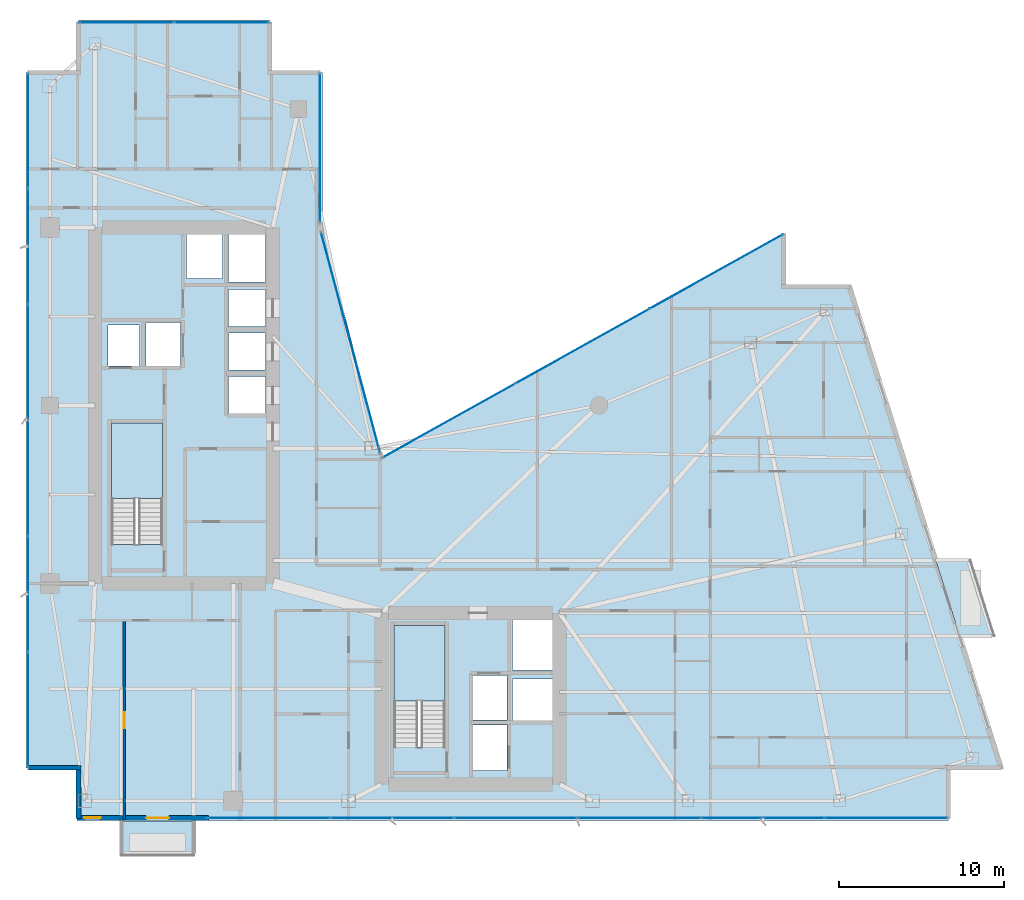
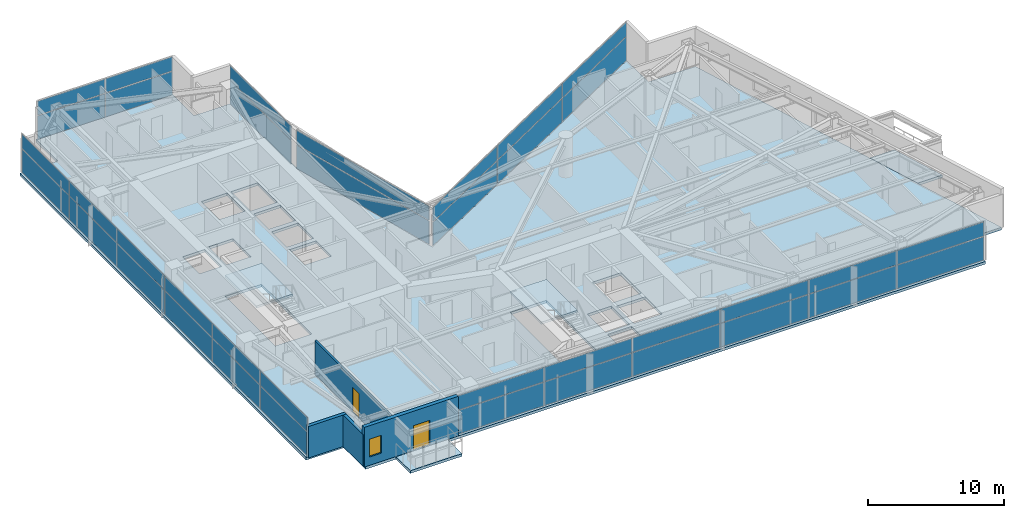
# One storey, part 21 of 28: 38 plates, 5 slabs, 4 walls, 2 doors, 1 window, 3 openings, 8 elements without a shape of their own.
"""IFC4 building model written with IfcOpenShell, lengths in metres."""

from ifc_helpers import new_model, si_unit, direction, frame, frame_2d, origin, origin_2d, place, context, subcontext, project, spatial, polyline, rectangle, outline, extrude, material, layer, layer_set, type_object, element, fill, aggregate, save


model = new_model("IFC4")

# Units and contexts
model_context = context("Model", 3, precision=1e-05, world=origin(), true_north=direction((0.0, 1.0)))
body_context = subcontext(model_context, "Body", "Model", "MODEL_VIEW")
ifc_project = project(units=[si_unit("LENGTHUNIT", "METRE"), si_unit("AREAUNIT", "SQUARE_METRE"), si_unit("VOLUMEUNIT", "CUBIC_METRE"), si_unit("PLANEANGLEUNIT", "RADIAN"), si_unit("MASSUNIT", "GRAM", prefix="KILO")], contexts=[model_context])

# Site, building, storey
site_placement = place(None, origin())
site = spatial("IfcSite", under=ifc_project, at=site_placement, CompositionType="ELEMENT")
building_placement = place(site_placement, origin())
building = spatial("IfcBuilding", under=site, at=building_placement, Name="Calvorn Quay Hotel", CompositionType="ELEMENT")
storey_placement = place(building_placement, frame((0.0, 0.0, 127.800048828125)))
storey = spatial("IfcBuildingStorey", under=building, at=storey_placement, Name="L31", CompositionType="ELEMENT", Elevation=127.800048828125)

# Curtain wall, plates
ifc_material_1 = material(Name="Pale Anodised Aluminium and Low-E Glass", Category="aluminium")
ifc_layer_1 = layer(ifc_material_1, 0.219970703125)
ifc_layer_set_1 = layer_set([ifc_layer_1], Name="CW-SYS-Z2")
curtain_wall_type = type_object("IfcCurtainWallType", Name="CW-SYS-Z2", PredefinedType="NOTDEFINED", material=ifc_layer_set_1)
curtain_wall_1_placement = place(storey_placement, origin())
curtain_wall_1 = element("IfcCurtainWall", 1, at=curtain_wall_1_placement, inside=storey, type_object=curtain_wall_type, Name="Tower West Curtain Wall (L31)", PredefinedType="NOTDEFINED")
ifc_material_2 = material(Name="Low-E Laminated Double Glazing", Category="glass")
ifc_layer_2 = layer(ifc_material_2, 0.028076171875)
ifc_layer_set_2 = layer_set([ifc_layer_2], Name="CW-SYS-Z2-PAN")
plate_type = type_object("IfcPlateType", Name="CW-SYS-Z2-PAN", PredefinedType="CURTAIN_PANEL", material=ifc_layer_set_2)
plate_1_placement = place(storey_placement, frame((0.14990234375, 9.131591796875, 0.06005859375), z_axis=(0.0, 0.0, 1.0), x_axis=(0.0, 1.0, 0.0)))
plate_1 = element("IfcPlate", 2, at=plate_1_placement, type_object=plate_type, Name="CW-L31-W panel 1.1", PredefinedType="CURTAIN_PANEL", context=body_context, shape_type="SweptSolid", body=[
    extrude(rectangle(XDim=6.943359375, YDim=0.028076171875, at=origin_2d()), origin(), (0.0, 0.0, 1.0), 2.110107421875),
])
plate_2_placement = place(storey_placement, frame((0.14990234375, 9.131591796875, 2.22998046875), z_axis=(0.0, 0.0, 1.0), x_axis=(0.0, 1.0, 0.0)))
plate_2 = element("IfcPlate", 3, at=plate_2_placement, type_object=plate_type, Name="CW-L31-W panel 1.2", PredefinedType="CURTAIN_PANEL", context=body_context, shape_type="SweptSolid", body=[
    extrude(rectangle(XDim=6.943359375, YDim=0.028076171875, at=origin_2d()), origin(), (0.0, 0.0, 1.0), 1.27001953125),
])
plate_3_placement = place(storey_placement, frame((0.14990234375, 16.14990234375, 0.06005859375), z_axis=(0.0, 0.0, 1.0), x_axis=(0.0, 1.0, 0.0)))
plate_3 = element("IfcPlate", 4, at=plate_3_placement, type_object=plate_type, Name="CW-L31-W panel 2.1", PredefinedType="CURTAIN_PANEL", context=body_context, shape_type="SweptSolid", body=[
    extrude(rectangle(XDim=6.973388671875, YDim=0.028076171875, at=origin_2d()), origin(), (0.0, 0.0, 1.0), 2.110107421875),
])
plate_4_placement = place(storey_placement, frame((0.14990234375, 16.14990234375, 2.22998046875), z_axis=(0.0, 0.0, 1.0), x_axis=(0.0, 1.0, 0.0)))
plate_4 = element("IfcPlate", 5, at=plate_4_placement, type_object=plate_type, Name="CW-L31-W panel 2.2", PredefinedType="CURTAIN_PANEL", context=body_context, shape_type="SweptSolid", body=[
    extrude(rectangle(XDim=6.973388671875, YDim=0.028076171875, at=origin_2d()), origin(), (0.0, 0.0, 1.0), 1.27001953125),
])
plate_5_placement = place(storey_placement, frame((0.14990234375, 23.183349609375, 0.06005859375), z_axis=(0.0, 0.0, 1.0), x_axis=(0.0, 1.0, 0.0)))
plate_5 = element("IfcPlate", 6, at=plate_5_placement, type_object=plate_type, Name="CW-L31-W panel 3.1", PredefinedType="CURTAIN_PANEL", context=body_context, shape_type="SweptSolid", body=[
    extrude(rectangle(XDim=6.973388671875, YDim=0.028076171875, at=origin_2d()), origin(), (0.0, 0.0, 1.0), 2.110107421875),
])
plate_6_placement = place(storey_placement, frame((0.14990234375, 23.183349609375, 2.22998046875), z_axis=(0.0, 0.0, 1.0), x_axis=(0.0, 1.0, 0.0)))
plate_6 = element("IfcPlate", 7, at=plate_6_placement, type_object=plate_type, Name="CW-L31-W panel 3.2", PredefinedType="CURTAIN_PANEL", context=body_context, shape_type="SweptSolid", body=[
    extrude(rectangle(XDim=6.973388671875, YDim=0.028076171875, at=origin_2d()), origin(), (0.0, 0.0, 1.0), 1.27001953125),
])
plate_7_placement = place(storey_placement, frame((0.14990234375, 30.216552734375, 0.06005859375), z_axis=(0.0, 0.0, 1.0), x_axis=(0.0, 1.0, 0.0)))
plate_7 = element("IfcPlate", 8, at=plate_7_placement, type_object=plate_type, Name="CW-L31-W panel 4.1", PredefinedType="CURTAIN_PANEL", context=body_context, shape_type="SweptSolid", body=[
    extrude(rectangle(XDim=6.973388671875, YDim=0.028076171875, at=origin_2d()), origin(), (0.0, 0.0, 1.0), 2.110107421875),
])
plate_8_placement = place(storey_placement, frame((0.14990234375, 30.216552734375, 2.22998046875), z_axis=(0.0, 0.0, 1.0), x_axis=(0.0, 1.0, 0.0)))
plate_8 = element("IfcPlate", 9, at=plate_8_placement, type_object=plate_type, Name="CW-L31-W panel 4.2", PredefinedType="CURTAIN_PANEL", context=body_context, shape_type="SweptSolid", body=[
    extrude(rectangle(XDim=6.973388671875, YDim=0.028076171875, at=origin_2d()), origin(), (0.0, 0.0, 1.0), 1.27001953125),
])
plate_9_placement = place(storey_placement, frame((0.14990234375, 37.25, 0.06005859375), z_axis=(0.0, 0.0, 1.0), x_axis=(0.0, 1.0, 0.0)))
plate_9 = element("IfcPlate", 10, at=plate_9_placement, type_object=plate_type, Name="CW-L31-W panel 5.1", PredefinedType="CURTAIN_PANEL", context=body_context, shape_type="SweptSolid", body=[
    extrude(rectangle(XDim=6.973388671875, YDim=0.028076171875, at=origin_2d()), origin(), (0.0, 0.0, 1.0), 2.110107421875),
])
plate_10_placement = place(storey_placement, frame((0.14990234375, 37.25, 2.22998046875), z_axis=(0.0, 0.0, 1.0), x_axis=(0.0, 1.0, 0.0)))
plate_10 = element("IfcPlate", 11, at=plate_10_placement, type_object=plate_type, Name="CW-L31-W panel 5.2", PredefinedType="CURTAIN_PANEL", context=body_context, shape_type="SweptSolid", body=[
    extrude(rectangle(XDim=6.973388671875, YDim=0.028076171875, at=origin_2d()), origin(), (0.0, 0.0, 1.0), 1.27001953125),
])
plate_11_placement = place(storey_placement, frame((0.14990234375, 44.268310546875, 0.06005859375), z_axis=(0.0, 0.0, 1.0), x_axis=(0.0, 1.0, 0.0)))
plate_11 = element("IfcPlate", 12, at=plate_11_placement, type_object=plate_type, Name="CW-L31-W panel 6.1", PredefinedType="CURTAIN_PANEL", context=body_context, shape_type="SweptSolid", body=[
    extrude(rectangle(XDim=6.943359375, YDim=0.028076171875, at=origin_2d()), origin(), (0.0, 0.0, 1.0), 2.110107421875),
])
plate_12_placement = place(storey_placement, frame((0.14990234375, 44.268310546875, 2.22998046875), z_axis=(0.0, 0.0, 1.0), x_axis=(0.0, 1.0, 0.0)))
plate_12 = element("IfcPlate", 13, at=plate_12_placement, type_object=plate_type, Name="CW-L31-W panel 6.2", PredefinedType="CURTAIN_PANEL", context=body_context, shape_type="SweptSolid", body=[
    extrude(rectangle(XDim=6.943359375, YDim=0.028076171875, at=origin_2d()), origin(), (0.0, 0.0, 1.0), 1.27001953125),
])
aggregate(curtain_wall_1, [plate_1, plate_2, plate_3, plate_4, plate_5, plate_6, plate_7, plate_8, plate_9, plate_10, plate_11, plate_12])

curtain_wall_2_placement = place(storey_placement, origin())
curtain_wall_2 = element("IfcCurtainWall", 14, at=curtain_wall_2_placement, inside=storey, type_object=curtain_wall_type, Name="Tower South Waterfront Curtain Wall (L31)", PredefinedType="NOTDEFINED")
plate_13_placement = place(storey_placement, frame((14.764892578125, 2.550048828125, 0.06005859375), z_axis=(0.0, 0.0, 1.0), x_axis=(1.0, 0.0, 0.0)))
plate_13 = element("IfcPlate", 15, at=plate_13_placement, type_object=plate_type, Name="CW-L31-S panel 1.1", PredefinedType="CURTAIN_PANEL", context=body_context, shape_type="SweptSolid", body=[
    extrude(rectangle(XDim=7.409912109375, YDim=0.028076171875, at=origin_2d()), origin(), (0.0, 0.0, 1.0), 2.110107421875),
])
plate_14_placement = place(storey_placement, frame((14.764892578125, 2.550048828125, 2.22998046875), z_axis=(0.0, 0.0, 1.0), x_axis=(1.0, 0.0, 0.0)))
plate_14 = element("IfcPlate", 16, at=plate_14_placement, type_object=plate_type, Name="CW-L31-S panel 1.2", PredefinedType="CURTAIN_PANEL", context=body_context, shape_type="SweptSolid", body=[
    extrude(rectangle(XDim=7.409912109375, YDim=0.028076171875, at=origin_2d()), origin(), (0.0, 0.0, 1.0), 1.27001953125),
])
plate_15_placement = place(storey_placement, frame((22.25, 2.550048828125, 0.06005859375), z_axis=(0.0, 0.0, 1.0), x_axis=(1.0, 0.0, 0.0)))
plate_15 = element("IfcPlate", 17, at=plate_15_placement, type_object=plate_type, Name="CW-L31-S panel 2.1", PredefinedType="CURTAIN_PANEL", context=body_context, shape_type="SweptSolid", body=[
    extrude(rectangle(XDim=7.43994140625, YDim=0.028076171875, at=origin_2d()), origin(), (0.0, 0.0, 1.0), 2.110107421875),
])
plate_16_placement = place(storey_placement, frame((22.25, 2.550048828125, 2.22998046875), z_axis=(0.0, 0.0, 1.0), x_axis=(1.0, 0.0, 0.0)))
plate_16 = element("IfcPlate", 18, at=plate_16_placement, type_object=plate_type, Name="CW-L31-S panel 2.2", PredefinedType="CURTAIN_PANEL", context=body_context, shape_type="SweptSolid", body=[
    extrude(rectangle(XDim=7.43994140625, YDim=0.028076171875, at=origin_2d()), origin(), (0.0, 0.0, 1.0), 1.27001953125),
])
plate_17_placement = place(storey_placement, frame((29.75, 2.550048828125, 0.06005859375), z_axis=(0.0, 0.0, 1.0), x_axis=(1.0, 0.0, 0.0)))
plate_17 = element("IfcPlate", 19, at=plate_17_placement, type_object=plate_type, Name="CW-L31-S panel 3.1", PredefinedType="CURTAIN_PANEL", context=body_context, shape_type="SweptSolid", body=[
    extrude(rectangle(XDim=7.43994140625, YDim=0.028076171875, at=origin_2d()), origin(), (0.0, 0.0, 1.0), 2.110107421875),
])
plate_18_placement = place(storey_placement, frame((29.75, 2.550048828125, 2.22998046875), z_axis=(0.0, 0.0, 1.0), x_axis=(1.0, 0.0, 0.0)))
plate_18 = element("IfcPlate", 20, at=plate_18_placement, type_object=plate_type, Name="CW-L31-S panel 3.2", PredefinedType="CURTAIN_PANEL", context=body_context, shape_type="SweptSolid", body=[
    extrude(rectangle(XDim=7.43994140625, YDim=0.028076171875, at=origin_2d()), origin(), (0.0, 0.0, 1.0), 1.27001953125),
])
plate_19_placement = place(storey_placement, frame((37.25, 2.550048828125, 0.06005859375), z_axis=(0.0, 0.0, 1.0), x_axis=(1.0, 0.0, 0.0)))
plate_19 = element("IfcPlate", 21, at=plate_19_placement, type_object=plate_type, Name="CW-L31-S panel 4.1", PredefinedType="CURTAIN_PANEL", context=body_context, shape_type="SweptSolid", body=[
    extrude(rectangle(XDim=7.43994140625, YDim=0.028076171875, at=origin_2d()), origin(), (0.0, 0.0, 1.0), 2.110107421875),
])
plate_20_placement = place(storey_placement, frame((37.25, 2.550048828125, 2.22998046875), z_axis=(0.0, 0.0, 1.0), x_axis=(1.0, 0.0, 0.0)))
plate_20 = element("IfcPlate", 22, at=plate_20_placement, type_object=plate_type, Name="CW-L31-S panel 4.2", PredefinedType="CURTAIN_PANEL", context=body_context, shape_type="SweptSolid", body=[
    extrude(rectangle(XDim=7.43994140625, YDim=0.028076171875, at=origin_2d()), origin(), (0.0, 0.0, 1.0), 1.27001953125),
])
plate_21_placement = place(storey_placement, frame((44.75, 2.550048828125, 0.06005859375), z_axis=(0.0, 0.0, 1.0), x_axis=(1.0, 0.0, 0.0)))
plate_21 = element("IfcPlate", 23, at=plate_21_placement, type_object=plate_type, Name="CW-L31-S panel 5.1", PredefinedType="CURTAIN_PANEL", context=body_context, shape_type="SweptSolid", body=[
    extrude(rectangle(XDim=7.43994140625, YDim=0.028076171875, at=origin_2d()), origin(), (0.0, 0.0, 1.0), 2.110107421875),
])
plate_22_placement = place(storey_placement, frame((44.75, 2.550048828125, 2.22998046875), z_axis=(0.0, 0.0, 1.0), x_axis=(1.0, 0.0, 0.0)))
plate_22 = element("IfcPlate", 24, at=plate_22_placement, type_object=plate_type, Name="CW-L31-S panel 5.2", PredefinedType="CURTAIN_PANEL", context=body_context, shape_type="SweptSolid", body=[
    extrude(rectangle(XDim=7.43994140625, YDim=0.028076171875, at=origin_2d()), origin(), (0.0, 0.0, 1.0), 1.27001953125),
])
plate_23_placement = place(storey_placement, frame((52.235107421875, 2.550048828125, 0.06005859375), z_axis=(0.0, 0.0, 1.0), x_axis=(1.0, 0.0, 0.0)))
plate_23 = element("IfcPlate", 25, at=plate_23_placement, type_object=plate_type, Name="CW-L31-S panel 6.1", PredefinedType="CURTAIN_PANEL", context=body_context, shape_type="SweptSolid", body=[
    extrude(rectangle(XDim=7.409912109375, YDim=0.028076171875, at=origin_2d()), origin(), (0.0, 0.0, 1.0), 2.110107421875),
])
plate_24_placement = place(storey_placement, frame((52.235107421875, 2.550048828125, 2.22998046875), z_axis=(0.0, 0.0, 1.0), x_axis=(1.0, 0.0, 0.0)))
plate_24 = element("IfcPlate", 26, at=plate_24_placement, type_object=plate_type, Name="CW-L31-S panel 6.2", PredefinedType="CURTAIN_PANEL", context=body_context, shape_type="SweptSolid", body=[
    extrude(rectangle(XDim=7.409912109375, YDim=0.028076171875, at=origin_2d()), origin(), (0.0, 0.0, 1.0), 1.27001953125),
])
aggregate(curtain_wall_2, [plate_13, plate_14, plate_15, plate_16, plate_17, plate_18, plate_19, plate_20, plate_21, plate_22, plate_23, plate_24])

curtain_wall_3_placement = place(storey_placement, origin())
curtain_wall_3 = element("IfcCurtainWall", 27, at=curtain_wall_3_placement, inside=storey, type_object=curtain_wall_type, Name="Inner Court Curtain Wall L31-NE1", PredefinedType="NOTDEFINED")
plate_25_placement = place(storey_placement, frame((41.920166015625, 35.72607421875, 0.06005859375), z_axis=(0.0, 0.0, 1.0), x_axis=(-0.873480989116, -0.486858256224, 0.0)))
plate_25 = element("IfcPlate", 28, at=plate_25_placement, type_object=plate_type, Name="CW-L31-NE1 panel 1.1", PredefinedType="CURTAIN_PANEL", context=body_context, shape_type="SweptSolid", body=[
    extrude(rectangle(XDim=9.221435546875, YDim=0.028076171875, at=origin_2d()), origin(), (0.0, 0.0, 1.0), 2.110107421875),
])
plate_26_placement = place(storey_placement, frame((41.920166015625, 35.72607421875, 2.22998046875), z_axis=(0.0, 0.0, 1.0), x_axis=(-0.873480989116, -0.486858256224, 0.0)))
plate_26 = element("IfcPlate", 29, at=plate_26_placement, type_object=plate_type, Name="CW-L31-NE1 panel 1.2", PredefinedType="CURTAIN_PANEL", context=body_context, shape_type="SweptSolid", body=[
    extrude(rectangle(XDim=9.221435546875, YDim=0.028076171875, at=origin_2d()), origin(), (0.0, 0.0, 1.0), 1.27001953125),
])
plate_27_placement = place(storey_placement, frame((33.800048828125, 31.199951171875, 0.06005859375), z_axis=(0.0, 0.0, 1.0), x_axis=(-0.873480989116, -0.486858256224, 0.0)))
plate_27 = element("IfcPlate", 30, at=plate_27_placement, type_object=plate_type, Name="CW-L31-NE1 panel 2.1", PredefinedType="CURTAIN_PANEL", context=body_context, shape_type="SweptSolid", body=[
    extrude(rectangle(XDim=9.25146484375, YDim=0.028076171875, at=origin_2d()), origin(), (0.0, 0.0, 1.0), 2.110107421875),
])
plate_28_placement = place(storey_placement, frame((33.800048828125, 31.199951171875, 2.22998046875), z_axis=(0.0, 0.0, 1.0), x_axis=(-0.873480989116, -0.486858256224, 0.0)))
plate_28 = element("IfcPlate", 31, at=plate_28_placement, type_object=plate_type, Name="CW-L31-NE1 panel 2.2", PredefinedType="CURTAIN_PANEL", context=body_context, shape_type="SweptSolid", body=[
    extrude(rectangle(XDim=9.25146484375, YDim=0.028076171875, at=origin_2d()), origin(), (0.0, 0.0, 1.0), 1.27001953125),
])
plate_29_placement = place(storey_placement, frame((25.6796875, 26.674072265625, 0.06005859375), z_axis=(0.0, 0.0, 1.0), x_axis=(-0.873480989116, -0.486858256224, 0.0)))
plate_29 = element("IfcPlate", 32, at=plate_29_placement, type_object=plate_type, Name="CW-L31-NE1 panel 3.1", PredefinedType="CURTAIN_PANEL", context=body_context, shape_type="SweptSolid", body=[
    extrude(rectangle(XDim=9.221435546875, YDim=0.028076171875, at=origin_2d()), origin(), (0.0, 0.0, 1.0), 2.110107421875),
])
plate_30_placement = place(storey_placement, frame((25.6796875, 26.674072265625, 2.22998046875), z_axis=(0.0, 0.0, 1.0), x_axis=(-0.873480989116, -0.486858256224, 0.0)))
plate_30 = element("IfcPlate", 33, at=plate_30_placement, type_object=plate_type, Name="CW-L31-NE1 panel 3.2", PredefinedType="CURTAIN_PANEL", context=body_context, shape_type="SweptSolid", body=[
    extrude(rectangle(XDim=9.221435546875, YDim=0.028076171875, at=origin_2d()), origin(), (0.0, 0.0, 1.0), 1.27001953125),
])
aggregate(curtain_wall_3, [plate_25, plate_26, plate_27, plate_28, plate_29, plate_30])

curtain_wall_4_placement = place(storey_placement, origin())
curtain_wall_4 = element("IfcCurtainWall", 34, at=curtain_wall_4_placement, inside=storey, type_object=curtain_wall_type, Name="Inner Court Curtain Wall L31-IC1", PredefinedType="NOTDEFINED")
plate_31_placement = place(storey_placement, frame((19.72509765625, 31.39990234375, 0.06005859375), z_axis=(0.0, 0.0, 1.0), x_axis=(-0.25877913024, 0.96593652056, 0.0)))
plate_31 = element("IfcPlate", 35, at=plate_31_placement, type_object=plate_type, Name="CW-L31-IC1 panel 1.1", PredefinedType="CURTAIN_PANEL", context=body_context, shape_type="SweptSolid", body=[
    extrude(rectangle(XDim=13.814697265625, YDim=0.028076171875, at=origin_2d()), origin(), (0.0, 0.0, 1.0), 2.110107421875),
])
plate_32_placement = place(storey_placement, frame((19.72509765625, 31.39990234375, 2.22998046875), z_axis=(0.0, 0.0, 1.0), x_axis=(-0.25877913024, 0.96593652056, 0.0)))
plate_32 = element("IfcPlate", 36, at=plate_32_placement, type_object=plate_type, Name="CW-L31-IC1 panel 1.2", PredefinedType="CURTAIN_PANEL", context=body_context, shape_type="SweptSolid", body=[
    extrude(rectangle(XDim=13.814697265625, YDim=0.028076171875, at=origin_2d()), origin(), (0.0, 0.0, 1.0), 1.27001953125),
])
aggregate(curtain_wall_4, [plate_31, plate_32])

curtain_wall_5_placement = place(storey_placement, origin())
curtain_wall_5 = element("IfcCurtainWall", 37, at=curtain_wall_5_placement, inside=storey, type_object=curtain_wall_type, Name="Inner Court Curtain Wall L31-IC2", PredefinedType="NOTDEFINED")
plate_33_placement = place(storey_placement, frame((17.85009765625, 43.239990234375, 0.06005859375), z_axis=(0.0, 0.0, 1.0), x_axis=(0.0, 1.0, 0.0)))
plate_33 = element("IfcPlate", 38, at=plate_33_placement, type_object=plate_type, Name="CW-L31-IC2 panel 1.1", PredefinedType="CURTAIN_PANEL", context=body_context, shape_type="SweptSolid", body=[
    extrude(rectangle(XDim=9.0, YDim=0.028076171875, at=origin_2d()), origin(), (0.0, 0.0, 1.0), 2.110107421875),
])
plate_34_placement = place(storey_placement, frame((17.85009765625, 43.239990234375, 2.22998046875), z_axis=(0.0, 0.0, 1.0), x_axis=(0.0, 1.0, 0.0)))
plate_34 = element("IfcPlate", 39, at=plate_34_placement, type_object=plate_type, Name="CW-L31-IC2 panel 1.2", PredefinedType="CURTAIN_PANEL", context=body_context, shape_type="SweptSolid", body=[
    extrude(rectangle(XDim=9.0, YDim=0.028076171875, at=origin_2d()), origin(), (0.0, 0.0, 1.0), 1.27001953125),
])
aggregate(curtain_wall_5, [plate_33, plate_34])

curtain_wall_6_placement = place(storey_placement, origin())
curtain_wall_6 = element("IfcCurtainWall", 40, at=curtain_wall_6_placement, inside=storey, type_object=curtain_wall_type, Name="Inner Court Curtain Wall L31-N1", PredefinedType="NOTDEFINED")
plate_35_placement = place(storey_placement, frame((11.885009765625, 50.85009765625, 0.06005859375), z_axis=(0.0, 0.0, 1.0), x_axis=(-1.0, 0.0, 0.0)))
plate_35 = element("IfcPlate", 41, at=plate_35_placement, type_object=plate_type, Name="CW-L31-N1 panel 1.1", PredefinedType="CURTAIN_PANEL", context=body_context, shape_type="SweptSolid", body=[
    extrude(rectangle(XDim=5.7099609375, YDim=0.028076171875, at=origin_2d()), origin(), (0.0, 0.0, 1.0), 2.110107421875),
])
plate_36_placement = place(storey_placement, frame((11.885009765625, 50.85009765625, 2.22998046875), z_axis=(0.0, 0.0, 1.0), x_axis=(-1.0, 0.0, 0.0)))
plate_36 = element("IfcPlate", 42, at=plate_36_placement, type_object=plate_type, Name="CW-L31-N1 panel 1.2", PredefinedType="CURTAIN_PANEL", context=body_context, shape_type="SweptSolid", body=[
    extrude(rectangle(XDim=5.7099609375, YDim=0.028076171875, at=origin_2d()), origin(), (0.0, 0.0, 1.0), 1.27001953125),
])
plate_37_placement = place(storey_placement, frame((6.114990234375, 50.85009765625, 0.06005859375), z_axis=(0.0, 0.0, 1.0), x_axis=(-1.0, 0.0, 0.0)))
plate_37 = element("IfcPlate", 43, at=plate_37_placement, type_object=plate_type, Name="CW-L31-N1 panel 2.1", PredefinedType="CURTAIN_PANEL", context=body_context, shape_type="SweptSolid", body=[
    extrude(rectangle(XDim=5.7099609375, YDim=0.028076171875, at=origin_2d()), origin(), (0.0, 0.0, 1.0), 2.110107421875),
])
plate_38_placement = place(storey_placement, frame((6.114990234375, 50.85009765625, 2.22998046875), z_axis=(0.0, 0.0, 1.0), x_axis=(-1.0, 0.0, 0.0)))
plate_38 = element("IfcPlate", 44, at=plate_38_placement, type_object=plate_type, Name="CW-L31-N1 panel 2.2", PredefinedType="CURTAIN_PANEL", context=body_context, shape_type="SweptSolid", body=[
    extrude(rectangle(XDim=5.7099609375, YDim=0.028076171875, at=origin_2d()), origin(), (0.0, 0.0, 1.0), 1.27001953125),
])
aggregate(curtain_wall_6, [plate_35, plate_36, plate_37, plate_38])

# Slabs
ifc_material_3 = material(Name="Concrete C40", Category="concrete")
ifc_layer_3 = layer(ifc_material_3, 0.239990234375)
ifc_layer_set_3 = layer_set([ifc_layer_3], Name="SLB-BALCONY-220")
slab_type_1 = type_object("IfcSlabType", Name="SLB-BALCONY-220", PredefinedType="FLOOR", material=ifc_layer_set_3)
slab_1_placement = place(storey_placement, frame((0.0, 0.0, -0.239990234375)))
element("IfcSlab", 45, at=slab_1_placement, inside=storey, type_object=slab_type_1, Name="Tree Balcony Slab L31-BALC-E", PredefinedType="FLOOR", context=body_context, shape_type="SweptSolid", body=[
    extrude(outline(polyline([(56.68896484375, 13.60009765625), (58.7890625, 13.60009765625), (57.340087890625, 18.199951171875), (55.239990234375, 18.199951171875), (56.68896484375, 13.60009765625)])), origin(), (0.0, 0.0, 1.0), 0.239990234375),
])
slab_2_placement = place(storey_placement, frame((0.0, 0.0, -0.239990234375)))
element("IfcSlab", 46, at=slab_2_placement, inside=storey, type_object=slab_type_1, Name="Tree Balcony Slab L31-BALC-S", PredefinedType="FLOOR", context=body_context, shape_type="SweptSolid", body=[
    extrude(outline(polyline([(5.800048828125, 0.2900390625), (10.199951171875, 0.2900390625), (10.199951171875, 2.389892578125), (5.800048828125, 2.389892578125), (5.800048828125, 0.2900390625)])), origin(), (0.0, 0.0, 1.0), 0.239990234375),
])

# Stair, slab
ifc_material_4 = material(Name="Concrete C40", Category="concrete")
stair_type = type_object("IfcStairType", Name="STR-CORE-DOGLEG", PredefinedType="HALF_TURN_STAIR", material=ifc_material_4)
stair_1_placement = place(storey_placement, origin())
stair_1 = element("IfcStair", 47, at=stair_1_placement, inside=storey, type_object=stair_type, Name="L31 ST-W", PredefinedType="HALF_TURN_STAIR")
ifc_material_5 = material(Name="Concrete C40", Category="concrete")
ifc_layer_4 = layer(ifc_material_5, 0.199951171875)
ifc_layer_set_4 = layer_set([ifc_layer_4], Name="SLB-STAIR-LANDING-200")
slab_type_2 = type_object("IfcSlabType", Name="SLB-STAIR-LANDING-200", PredefinedType="LANDING", material=ifc_layer_set_4)
slab_3_placement = place(storey_placement, frame((0.0, 0.0, 1.699951171875)))
slab_3 = element("IfcSlab", 48, at=slab_3_placement, type_object=slab_type_2, Name="ST-W landing 1", PredefinedType="LANDING", context=body_context, shape_type="SweptSolid", body=[
    extrude(outline(polyline([(8.300048828125, 21.949951171875), (8.300048828125, 26.550048828125), (5.199951171875, 26.550048828125), (5.199951171875, 21.949951171875), (8.300048828125, 21.949951171875)])), origin(), (0.0, 0.0, 1.0), 0.199951171875),
])
aggregate(stair_1, [slab_3])

stair_2_placement = place(storey_placement, origin())
stair_2 = element("IfcStair", 49, at=stair_2_placement, inside=storey, type_object=stair_type, Name="L31 ST-E", PredefinedType="HALF_TURN_STAIR")
slab_4_placement = place(storey_placement, frame((0.0, 0.0, 1.699951171875)))
slab_4 = element("IfcSlab", 50, at=slab_4_placement, type_object=slab_type_2, Name="ST-E landing 1", PredefinedType="LANDING", context=body_context, shape_type="SweptSolid", body=[
    extrude(outline(polyline([(25.449951171875, 9.64990234375), (25.449951171875, 14.25), (22.35009765625, 14.25), (22.35009765625, 9.64990234375), (25.449951171875, 9.64990234375)])), origin(), (0.0, 0.0, 1.0), 0.199951171875),
])
aggregate(stair_2, [slab_4])

# Slab
ifc_material_6 = material(Name="Concrete C40", Category="concrete")
ifc_layer_5 = layer(ifc_material_6, 0.239990234375)
ifc_layer_set_5 = layer_set([ifc_layer_5], Name="SLB-TOWER-240")
slab_type_3 = type_object("IfcSlabType", Name="SLB-TOWER-240", PredefinedType="FLOOR", material=ifc_layer_set_5)
slab_5_placement = place(storey_placement, frame((0.0, 0.0, -0.239990234375)))
element("IfcSlab", 51, at=slab_5_placement, inside=storey, type_object=slab_type_3, Name="L31 Structural Floor Slab", PredefinedType="FLOOR", context=body_context, shape_type="SweptSolid", body=[
    extrude(outline(polyline([(0.0, 5.60009765625), (3.199951171875, 5.60009765625), (3.199951171875, 2.39990234375), (56.0, 2.39990234375), (56.0, 5.60009765625), (59.199951171875, 5.60009765625), (50.0, 34.800048828125), (46.0, 34.800048828125), (46.0, 38.0), (21.60009765625, 24.39990234375), (18.0, 38.39990234375), (18.0, 47.800048828125), (14.800048828125, 47.800048828125), (14.800048828125, 51.0), (3.199951171875, 51.0), (3.199951171875, 47.800048828125), (0.0, 47.800048828125), (0.0, 5.60009765625)]), holes=[polyline([(5.199951171875, 19.156005859375), (8.300048828125, 19.156005859375), (8.300048828125, 26.550048828125), (5.199951171875, 26.550048828125), (5.199951171875, 19.156005859375)]), polyline([(22.35009765625, 6.85595703125), (25.449951171875, 6.85595703125), (25.449951171875, 14.25), (22.35009765625, 14.25), (22.35009765625, 6.85595703125)]), polyline([(5.0, 30.0), (6.89990234375, 30.0), (6.89990234375, 32.5), (5.0, 32.5), (5.0, 30.0)]), polyline([(7.300048828125, 30.0), (9.39990234375, 30.0), (9.39990234375, 32.64990234375), (7.300048828125, 32.64990234375), (7.300048828125, 30.0)]), polyline([(27.159912109375, 8.5), (29.2099609375, 8.5), (29.2099609375, 11.199951171875), (27.159912109375, 11.199951171875), (27.159912109375, 8.5)]), polyline([(27.159912109375, 5.449951171875), (29.2099609375, 5.449951171875), (29.2099609375, 8.199951171875), (27.159912109375, 8.199951171875), (27.159912109375, 5.449951171875)]), polyline([(12.300048828125, 27.10009765625), (14.56494140625, 27.10009765625), (14.56494140625, 29.35009765625), (12.300048828125, 29.35009765625), (12.300048828125, 27.10009765625)]), polyline([(12.300048828125, 29.75), (14.56494140625, 29.75), (14.56494140625, 32.0), (12.300048828125, 32.0), (12.300048828125, 29.75)]), polyline([(12.300048828125, 32.39990234375), (14.56494140625, 32.39990234375), (14.56494140625, 34.64990234375), (12.300048828125, 34.64990234375), (12.300048828125, 32.39990234375)]), polyline([(12.300048828125, 35.10009765625), (14.56494140625, 35.10009765625), (14.56494140625, 37.965087890625), (12.300048828125, 37.965087890625), (12.300048828125, 35.10009765625)]), polyline([(9.75, 35.300048828125), (11.949951171875, 35.300048828125), (11.949951171875, 37.965087890625), (9.75, 37.965087890625), (9.75, 35.300048828125)]), polyline([(29.550048828125, 11.550048828125), (31.965087890625, 11.550048828125), (31.965087890625, 14.56494140625), (29.550048828125, 14.56494140625), (29.550048828125, 11.550048828125)]), polyline([(29.550048828125, 8.449951171875), (31.965087890625, 8.449951171875), (31.965087890625, 11.0), (29.550048828125, 11.0), (29.550048828125, 8.449951171875)])]), origin(), (0.0, 0.0, 1.0), 0.239990234375),
])

# Wall, openings, door, window
ifc_material_7 = material(Name="Concrete C40", Category="concrete")
ifc_layer_6 = layer(ifc_material_7, 0.320068359375)
ifc_layer_set_6 = layer_set([ifc_layer_6], Name="WL-EXT-SPANDREL-320")
wall_type_1 = type_object("IfcWallType", Name="WL-EXT-SPANDREL-320", PredefinedType="SOLIDWALL", material=ifc_layer_set_6)
wall_1_placement = place(storey_placement, frame((3.10009765625, 2.56005859375, 0.0), z_axis=(0.0, 0.0, 1.0), x_axis=(1.0, 0.0, 0.0)))
wall_1 = element("IfcWall", 52, at=wall_1_placement, inside=storey, type_object=wall_type_1, Name="South Balcony Exterior Wall (L31)", PredefinedType="SOLIDWALL", context=body_context, shape_type="SweptSolid", body=[
    extrude(rectangle(XDim=8.0, YDim=0.320068359375, at=frame_2d((4.0, 0.0))), origin(), (0.0, 0.0, 1.0), 3.56005859375),
])
opening_1_placement = place(wall_1_placement, frame((0.449951171875, 0.0, 0.75)))
opening_1 = element("IfcOpeningElement", 53, at=opening_1_placement, cuts=wall_1, Name="Opening WSB-L31-1", PredefinedType="OPENING", context=body_context, shape_type="SweptSolid", body=[
    extrude(rectangle(XDim=1.0, YDim=1.60009765625, at=frame_2d((0.5, 0.800048828125))), frame((0.0, 0.169921875, 0.0), z_axis=(0.0, -1.0, 0.0), x_axis=(1.0, 0.0, 0.0)), (0.0, 0.0, 1.0), 0.340087890625),
])
opening_2_placement = place(wall_1_placement, frame((4.199951171875, 0.0, 0.0)))
opening_2 = element("IfcOpeningElement", 54, at=opening_2_placement, cuts=wall_1, Name="Opening DB-L31-2", PredefinedType="OPENING", context=body_context, shape_type="SweptSolid", body=[
    extrude(rectangle(XDim=1.39990234375, YDim=2.25, at=frame_2d((0.699951171875, 1.125))), frame((0.0, 0.169921875, 0.0), z_axis=(0.0, -1.0, 0.0), x_axis=(1.0, 0.0, 0.0)), (0.0, 0.0, 1.0), 0.340087890625),
])
ifc_material_8 = material(Name="Typhoon-Rated Low-E Aluminium Terrace Door", Category="aluminium")
door_type_1 = type_object("IfcDoorType", Name="DR-BALCONY-GLZ-1400", OperationType="NOTDEFINED", PredefinedType="DOOR", material=ifc_material_8)
door_1_placement = place(opening_2_placement, origin())
door_1 = element("IfcDoor", 55, at=door_1_placement, inside=storey, type_object=door_type_1, Name="Tree Balcony Terrace Door L31-BALC-S", OperationType="SINGLE_SWING_LEFT", OverallHeight=2.25, OverallWidth=1.39990234375, PredefinedType="DOOR", context=body_context, shape_type="SweptSolid", body=[
    extrude(rectangle(XDim=1.39990234375, YDim=2.25, at=frame_2d((0.699951171875, 1.125))), frame((0.0, 0.02490234375, 0.0), z_axis=(0.0, -1.0, 0.0), x_axis=(1.0, 0.0, 0.0)), (0.0, 0.0, 1.0), 0.050048828125),
])
fill(opening_2, door_1)
ifc_material_9 = material(Name="Self-Closing Class B Side Fire Window")
window_type = type_object("IfcWindowType", Name="WIN-REFUGE-NARROW-1000x1600", PartitioningType="SINGLE_PANEL", PredefinedType="WINDOW", material=ifc_material_9)
window_placement = place(opening_1_placement, origin())
window = element("IfcWindow", 56, at=window_placement, inside=storey, type_object=window_type, Name="South Waterfront Side Window (L31)", OverallHeight=1.60009765625, OverallWidth=1.0, PartitioningType="SINGLE_PANEL", PredefinedType="WINDOW", context=body_context, shape_type="SweptSolid", body=[
    extrude(rectangle(XDim=1.0, YDim=1.60009765625, at=frame_2d((0.5, 0.800048828125))), frame((0.0, 0.030029296875, 0.0), z_axis=(0.0, -1.0, 0.0), x_axis=(1.0, 0.0, 0.0)), (0.0, 0.0, 1.0), 0.06005859375),
])
fill(opening_1, window)

# Walls
wall_2_placement = place(storey_placement, frame((0.1201171875, 5.60009765625, 0.0), z_axis=(0.0, 0.0, 1.0), x_axis=(1.0, 0.0, 0.0)))
element("IfcWall", 57, at=wall_2_placement, inside=storey, type_object=wall_type_1, Name="Notched Corner Spandrel L31-SW1", PredefinedType="SOLIDWALL", context=body_context, shape_type="SweptSolid", body=[
    extrude(rectangle(XDim=3.219970703125, YDim=0.280029296875, at=frame_2d((1.60986328125, 0.0))), origin(), (0.0, 0.0, 1.0), 2.83984375),
])
wall_3_placement = place(storey_placement, frame((3.199951171875, 5.4599609375, 0.0), z_axis=(0.0, 0.0, 1.0), x_axis=(0.0, -1.0, 0.0)))
element("IfcWall", 58, at=wall_3_placement, inside=storey, type_object=wall_type_1, Name="Notched Corner Spandrel L31-SW2", PredefinedType="SOLIDWALL", context=body_context, shape_type="SweptSolid", body=[
    extrude(rectangle(XDim=2.93994140625, YDim=0.280029296875, at=frame_2d((1.469970703125, 0.0))), origin(), (0.0, 0.0, 1.0), 2.83984375),
])

# Wall, opening, door
ifc_material_10 = material(Name="Double-Stud Acoustic Gypsum Partition")
ifc_layer_7 = layer(ifc_material_10, 0.159912109375)
ifc_layer_set_7 = layer_set([ifc_layer_7], Name="WL-INTERSUITE-160")
wall_type_2 = type_object("IfcWallType", Name="WL-INTERSUITE-160", PredefinedType="PARTITIONING", material=ifc_layer_set_7)
wall_4_placement = place(storey_placement, frame((5.97998046875, 2.43994140625, 0.0), z_axis=(0.0, 0.0, 1.0), x_axis=(0.0, 1.0, 0.0)))
wall_4 = element("IfcWall", 59, at=wall_4_placement, inside=storey, type_object=wall_type_2, Name="Partition Wall L31-WL-U01-MSP", PredefinedType="PARTITIONING", context=body_context, shape_type="SweptSolid", body=[
    extrude(rectangle(XDim=12.110107421875, YDim=0.159912109375, at=frame_2d((6.05517578125, 0.0))), origin(), (0.0, 0.0, 1.0), 3.0400390625),
])
opening_3_placement = place(wall_4_placement, frame((5.580078125, 0.0, 0.0)))
opening_3 = element("IfcOpeningElement", 60, at=opening_3_placement, cuts=wall_4, Name="Opening D-L31-M01", PredefinedType="OPENING", context=body_context, shape_type="SweptSolid", body=[
    extrude(rectangle(XDim=0.9599609375, YDim=2.199951171875, at=frame_2d((0.47998046875, 1.10009765625))), frame((0.0, 0.08984375, 0.0), z_axis=(0.0, -1.0, 0.0), x_axis=(1.0, 0.0, 0.0)), (0.0, 0.0, 1.0), 0.179931640625),
])
ifc_material_11 = material(Name="Solid Timber Internal Suite Door", Category="wood")
door_type_2 = type_object("IfcDoorType", Name="DR-SUITE-INT-960", OperationType="NOTDEFINED", PredefinedType="DOOR", material=ifc_material_11)
door_2_placement = place(opening_3_placement, origin())
door_2 = element("IfcDoor", 61, at=door_2_placement, inside=storey, type_object=door_type_2, Name="Suite Bedroom Door 01", OperationType="SINGLE_SWING_LEFT", OverallHeight=2.199951171875, OverallWidth=0.9599609375, PredefinedType="DOOR", context=body_context, shape_type="SweptSolid", body=[
    extrude(rectangle(XDim=0.9599609375, YDim=2.199951171875, at=frame_2d((0.47998046875, 1.10009765625))), frame((0.0, 0.02490234375, 0.0), z_axis=(0.0, -1.0, 0.0), x_axis=(1.0, 0.0, 0.0)), (0.0, 0.0, 1.0), 0.050048828125),
])
fill(opening_3, door_2)

save(model, "model.ifc")
